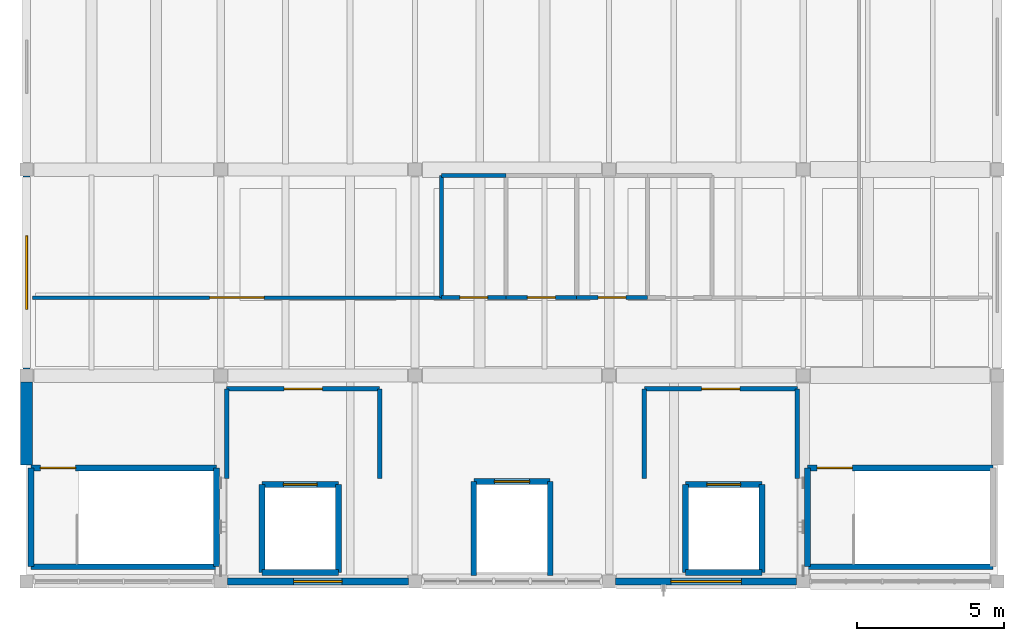
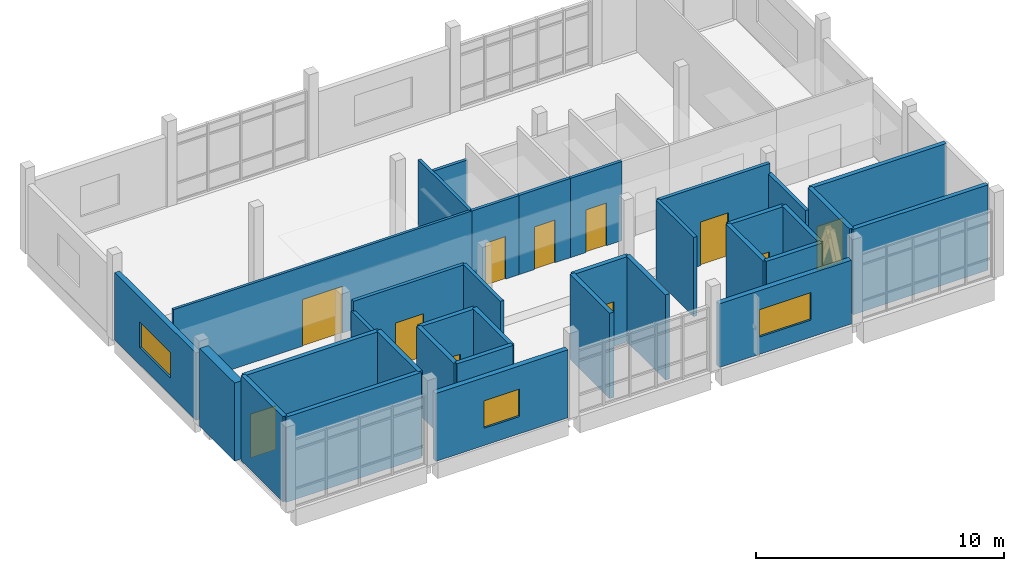
# One storey, part 8 of 10: 34 walls, 11 doors, 3 windows, 14 openings.
"""IFC4 building model written with IfcOpenShell, lengths in metres."""

from ifc_helpers import new_model, si_unit, direction, frame, frame_2d, origin, place, context, subcontext, project, spatial, rectangle, extrude, material, layer, layer_set, type_object, element, fill, save


model = new_model("IFC4")

# Units and contexts
model_context = context("Model", 3, precision=1e-05, world=origin(), true_north=direction((0.0, 1.0)))
body_context = subcontext(model_context, "Body", "Model", "MODEL_VIEW")
ifc_project = project(units=[si_unit("LENGTHUNIT", "METRE"), si_unit("AREAUNIT", "SQUARE_METRE"), si_unit("VOLUMEUNIT", "CUBIC_METRE"), si_unit("PLANEANGLEUNIT", "RADIAN"), si_unit("MASSUNIT", "GRAM", prefix="KILO")], contexts=[model_context])

# Site, building, storey
site_placement = place(None, origin())
site = spatial("IfcSite", under=ifc_project, at=site_placement, CompositionType="ELEMENT")
building_placement = place(site_placement, origin())
building = spatial("IfcBuilding", under=site, at=building_placement, Name="Ciguamira Faculty of Natural Sciences", CompositionType="ELEMENT")
storey_placement = place(building_placement, frame((0.0, 0.0, 46.199951171875)))
storey = spatial("IfcBuildingStorey", under=building, at=storey_placement, Name="L11", CompositionType="ELEMENT", Elevation=46.199951171875)

# Wall, opening, window
ifc_material_1 = material(Name="Precast concrete C40/50", Category="concrete")
ifc_layer_1 = layer(ifc_material_1, 0.239990234375, Name="Precast concrete C40/50")
ifc_layer_set_1 = layer_set([ifc_layer_1], Name="Precast concrete C40/50")
wall_type_1 = type_object("IfcWallType", Name="ExtWall_EW-02_240", PredefinedType="SOLIDWALL", material=ifc_layer_set_1)
wall_1_placement = place(storey_placement, frame((77.324951171875, 94.0, 0.0), z_axis=(0.0, 0.0, 1.0), x_axis=(1.0, 0.0, 0.0)))
wall_1 = element("IfcWall", 1, at=wall_1_placement, inside=storey, type_object=wall_type_1, Name="L11 exterior wall 0407", PredefinedType="SOLIDWALL", context=body_context, shape_type="SweptSolid", body=[
    extrude(rectangle(XDim=6.150146484375, YDim=0.239990234375, at=frame_2d((3.0751953125, 0.0))), origin(), (0.0, 0.0, 1.0), 3.344970703125),
])
opening_1_placement = place(wall_1_placement, frame((2.25, 0.0, 0.85009765625)))
opening_1 = element("IfcOpeningElement", 2, at=opening_1_placement, cuts=wall_1, Name="Opening WT-04", PredefinedType="OPENING", context=body_context, shape_type="SweptSolid", body=[
    extrude(rectangle(XDim=1.64990234375, YDim=1.35009765625, at=frame_2d((0.824951171875, 0.675048828125))), frame((0.0, 0.1298828125, 0.0), z_axis=(0.0, -1.0, 0.0), x_axis=(1.0, 0.0, 0.0)), (0.0, 0.0, 1.0), 0.260009765625),
])
ifc_material_2 = material(Name="Hurricane laminated solar glass", Category="glass")
window_type_1 = type_object("IfcWindowType", Name="Window_WT-04_1650x1350", PartitioningType="DOUBLE_PANEL_VERTICAL", PredefinedType="WINDOW", material=ifc_material_2)
window_1_placement = place(opening_1_placement, origin())
window_1 = element("IfcWindow", 3, at=window_1_placement, inside=storey, type_object=window_type_1, Name="L11 facade window 0287", OverallHeight=1.35009765625, OverallWidth=1.64990234375, PartitioningType="SINGLE_PANEL", PredefinedType="WINDOW", context=body_context, shape_type="SweptSolid", body=[
    extrude(rectangle(XDim=1.64990234375, YDim=1.35009765625, at=frame_2d((0.824951171875, 0.675048828125))), frame((0.0, 0.030029296875, 0.0), z_axis=(0.0, -1.0, 0.0), x_axis=(1.0, 0.0, 0.0)), (0.0, 0.0, 1.0), 0.06005859375),
])
fill(opening_1, window_1)

wall_2_placement = place(storey_placement, frame((90.52490234375, 94.0, 0.0), z_axis=(0.0, 0.0, 1.0), x_axis=(1.0, 0.0, 0.0)))
wall_2 = element("IfcWall", 4, at=wall_2_placement, inside=storey, type_object=wall_type_1, Name="L11 exterior wall 0408", PredefinedType="SOLIDWALL", context=body_context, shape_type="SweptSolid", body=[
    extrude(rectangle(XDim=6.150146484375, YDim=0.239990234375, at=frame_2d((3.0751953125, 0.0))), origin(), (0.0, 0.0, 1.0), 3.135009765625),
])
opening_2_placement = place(wall_2_placement, frame((1.875, 0.0, 0.85009765625)))
opening_2 = element("IfcOpeningElement", 5, at=opening_2_placement, cuts=wall_2, Name="Opening WT-07", PredefinedType="OPENING", context=body_context, shape_type="SweptSolid", body=[
    extrude(rectangle(XDim=2.39990234375, YDim=1.35009765625, at=frame_2d((1.199951171875, 0.675048828125))), frame((0.0, 0.1298828125, 0.0), z_axis=(0.0, -1.0, 0.0), x_axis=(1.0, 0.0, 0.0)), (0.0, 0.0, 1.0), 0.260009765625),
])
window_type_2 = type_object("IfcWindowType", Name="Window_WT-07_2400x1350", PartitioningType="DOUBLE_PANEL_VERTICAL", PredefinedType="WINDOW", material=ifc_material_2)
window_2_placement = place(opening_2_placement, origin())
window_2 = element("IfcWindow", 6, at=window_2_placement, inside=storey, type_object=window_type_2, Name="L11 facade window 0288", OverallHeight=1.35009765625, OverallWidth=2.39990234375, PartitioningType="SINGLE_PANEL", PredefinedType="WINDOW", context=body_context, shape_type="SweptSolid", body=[
    extrude(rectangle(XDim=2.39990234375, YDim=1.35009765625, at=frame_2d((1.199951171875, 0.675048828125))), frame((0.0, 0.030029296875, 0.0), z_axis=(0.0, -1.0, 0.0), x_axis=(1.0, 0.0, 0.0)), (0.0, 0.0, 1.0), 0.06005859375),
])
fill(opening_2, window_2)

wall_3_placement = place(storey_placement, frame((70.5, 101.22509765625, 0.0), z_axis=(0.0, 0.0, 1.0), x_axis=(0.0, 1.0, 0.0)))
wall_3 = element("IfcWall", 7, at=wall_3_placement, inside=storey, type_object=wall_type_1, Name="L11 exterior wall 0413", PredefinedType="SOLIDWALL", context=body_context, shape_type="SweptSolid", body=[
    extrude(rectangle(XDim=6.5498046875, YDim=0.239990234375, at=frame_2d((3.27490234375, 0.0))), origin(), (0.0, 0.0, 1.0), 3.31298828125),
])
opening_3_placement = place(wall_3_placement, frame((2.02490234375, 0.0, 0.85009765625)))
opening_3 = element("IfcOpeningElement", 8, at=opening_3_placement, cuts=wall_3, Name="Opening WT-19", PredefinedType="OPENING", context=body_context, shape_type="SweptSolid", body=[
    extrude(rectangle(XDim=2.5, YDim=1.25, at=frame_2d((1.25, 0.625))), frame((0.0, 0.1298828125, 0.0), z_axis=(0.0, -1.0, 0.0), x_axis=(1.0, 0.0, 0.0)), (0.0, 0.0, 1.0), 0.260009765625),
])
window_type_3 = type_object("IfcWindowType", Name="Window_WT-19_2500x1250", PartitioningType="DOUBLE_PANEL_VERTICAL", PredefinedType="WINDOW", material=ifc_material_2)
window_3_placement = place(opening_3_placement, origin())
window_3 = element("IfcWindow", 9, at=window_3_placement, inside=storey, type_object=window_type_3, Name="L11 facade window 0292", OverallHeight=1.25, OverallWidth=2.5, PartitioningType="SINGLE_PANEL", PredefinedType="WINDOW", context=body_context, shape_type="SweptSolid", body=[
    extrude(rectangle(XDim=2.5, YDim=1.25, at=frame_2d((1.25, 0.625))), frame((0.0, 0.030029296875, 0.0), z_axis=(0.0, -1.0, 0.0), x_axis=(1.0, 0.0, 0.0)), (0.0, 0.0, 1.0), 0.06005859375),
])
fill(opening_3, window_3)

# Walls
ifc_material_3 = material(Name="Concrete C40/50", Category="concrete")
ifc_layer_2 = layer(ifc_material_3, 0.39990234375, Name="Concrete C40/50")
ifc_layer_set_2 = layer_set([ifc_layer_2], Name="Concrete C40/50")
wall_type_2 = type_object("IfcWallType", Name="ExtWall_RW-02_400", PredefinedType="SHEAR", material=ifc_layer_set_2)
wall_4_placement = place(storey_placement, frame((70.5, 97.9599609375, 0.0), z_axis=(0.0, 0.0, 1.0), x_axis=(0.0, 1.0, 0.0)))
element("IfcWall", 10, at=wall_4_placement, inside=storey, type_object=wall_type_2, Name="L11 exterior wall 0412", PredefinedType="SHEAR", context=body_context, shape_type="SweptSolid", body=[
    extrude(rectangle(XDim=2.81494140625, YDim=0.39990234375, at=frame_2d((1.407470703125, 0.0))), origin(), (0.0, 0.0, 1.0), 3.85009765625),
])
ifc_layer_3 = layer(ifc_material_3, 0.199951171875, Name="Concrete C40/50")
ifc_layer_set_3 = layer_set([ifc_layer_3], Name="Concrete C40/50")
wall_type_3 = type_object("IfcWallType", Name="IntWall_CW-S20_200", PredefinedType="SHEAR", material=ifc_layer_set_3)
wall_5_placement = place(storey_placement, frame((70.64990234375, 94.5, 0.0), z_axis=(0.0, 0.0, 1.0), x_axis=(1.0, 0.0, 0.0)))
element("IfcWall", 11, at=wall_5_placement, inside=storey, type_object=wall_type_3, Name="L11 ST-T1 core shear wall south", PredefinedType="SHEAR", context=body_context, shape_type="SweptSolid", body=[
    extrude(rectangle(XDim=6.300048828125, YDim=0.199951171875, at=frame_2d((3.14990234375, 0.0))), origin(), (0.0, 0.0, 1.0), 4.199951171875),
])

# Wall, opening, door
wall_6_placement = place(storey_placement, frame((70.64990234375, 97.860107421875, 0.0), z_axis=(0.0, 0.0, 1.0), x_axis=(1.0, 0.0, 0.0)))
wall_6 = element("IfcWall", 12, at=wall_6_placement, inside=storey, type_object=wall_type_3, Name="L11 ST-T1 core shear wall north", PredefinedType="SHEAR", context=body_context, shape_type="SweptSolid", body=[
    extrude(rectangle(XDim=6.300048828125, YDim=0.199951171875, at=frame_2d((3.14990234375, 0.0))), origin(), (0.0, 0.0, 1.0), 4.199951171875),
])
opening_4_placement = place(wall_6_placement, frame((0.320068359375, 0.0, 0.0)))
opening_4 = element("IfcOpeningElement", 13, at=opening_4_placement, cuts=wall_6, Name="Opening ID-14", PredefinedType="OPENING", context=body_context, shape_type="SweptSolid", body=[
    extrude(rectangle(XDim=1.199951171875, YDim=2.14990234375, at=frame_2d((0.60009765625, 1.074951171875))), frame((0.0, 0.10986328125, 0.0), z_axis=(0.0, -1.0, 0.0), x_axis=(1.0, 0.0, 0.0)), (0.0, 0.0, 1.0), 0.219970703125),
])
ifc_material_4 = material(Name="Protected exit stair fire door")
door_type_1 = type_object("IfcDoorType", Name="IntDoor_ID-14_1200x2150", OperationType="NOTDEFINED", PredefinedType="DOOR", material=ifc_material_4)
door_1_placement = place(opening_4_placement, frame((1.199951171875, 0.0, 0.0), z_axis=(0.0, 0.0, 1.0), x_axis=(-1.0, 0.0, 0.0)))
door_1 = element("IfcDoor", 14, at=door_1_placement, inside=storey, type_object=door_type_1, Name="L11 ST-T1 exit stair fire door", OperationType="SINGLE_SWING_LEFT", OverallHeight=2.14990234375, OverallWidth=1.199951171875, PredefinedType="DOOR", context=body_context, shape_type="SweptSolid", body=[
    extrude(rectangle(XDim=1.199951171875, YDim=2.14990234375, at=frame_2d((0.60009765625, 1.074951171875))), frame((0.0, 0.02490234375, 0.0), z_axis=(0.0, -1.0, 0.0), x_axis=(1.0, 0.0, 0.0)), (0.0, 0.0, 1.0), 0.050048828125),
])
fill(opening_4, door_1)

# Walls
for number, where, z_axis, x_axis, name in (
    (15, (70.64990234375, 94.5, 0.0), (0.0, 0.0, 1.0), (0.0, 1.0, 0.0), "L11 ST-T1 core shear wall west"),
    (16, (76.949951171875, 94.5, 0.0), (0.0, 0.0, 1.0), (0.0, 1.0, 0.0), "L11 ST-T1 core shear wall east"),
):
    element("IfcWall", number, at=place(storey_placement, frame(where, z_axis=z_axis, x_axis=x_axis)), inside=storey, type_object=wall_type_3, Name=name, PredefinedType="SHEAR", context=body_context, shape_type="SweptSolid", body=[
        extrude(rectangle(XDim=3.360107421875, YDim=0.199951171875, at=frame_2d((1.68017578125, 0.0))), origin(), (0.0, 0.0, 1.0), 4.199951171875),
    ])
wall_7_placement = place(storey_placement, frame((97.050048828125, 94.5, 0.0), z_axis=(0.0, 0.0, 1.0), x_axis=(1.0, 0.0, 0.0)))
element("IfcWall", 17, at=wall_7_placement, inside=storey, type_object=wall_type_3, Name="L11 ST-T2 core shear wall south", PredefinedType="SHEAR", context=body_context, shape_type="SweptSolid", body=[
    extrude(rectangle(XDim=6.300048828125, YDim=0.199951171875, at=frame_2d((3.14990234375, 0.0))), origin(), (0.0, 0.0, 1.0), 4.199951171875),
])

# Wall, opening, door
wall_8_placement = place(storey_placement, frame((97.050048828125, 97.860107421875, 0.0), z_axis=(0.0, 0.0, 1.0), x_axis=(1.0, 0.0, 0.0)))
wall_8 = element("IfcWall", 18, at=wall_8_placement, inside=storey, type_object=wall_type_3, Name="L11 ST-T2 core shear wall north", PredefinedType="SHEAR", context=body_context, shape_type="SweptSolid", body=[
    extrude(rectangle(XDim=6.300048828125, YDim=0.199951171875, at=frame_2d((3.14990234375, 0.0))), origin(), (0.0, 0.0, 1.0), 4.199951171875),
])
opening_5_placement = place(wall_8_placement, frame((0.320068359375, 0.0, 0.0)))
opening_5 = element("IfcOpeningElement", 19, at=opening_5_placement, cuts=wall_8, Name="Opening ID-14", PredefinedType="OPENING", context=body_context, shape_type="SweptSolid", body=[
    extrude(rectangle(XDim=1.199951171875, YDim=2.14990234375, at=frame_2d((0.60009765625, 1.074951171875))), frame((0.0, 0.10986328125, 0.0), z_axis=(0.0, -1.0, 0.0), x_axis=(1.0, 0.0, 0.0)), (0.0, 0.0, 1.0), 0.219970703125),
])
door_2_placement = place(opening_5_placement, frame((1.199951171875, 0.0, 0.0), z_axis=(0.0, 0.0, 1.0), x_axis=(-1.0, 0.0, 0.0)))
door_2 = element("IfcDoor", 20, at=door_2_placement, inside=storey, type_object=door_type_1, Name="L11 ST-T2 exit stair fire door", OperationType="SINGLE_SWING_RIGHT", OverallHeight=2.14990234375, OverallWidth=1.199951171875, PredefinedType="DOOR", context=body_context, shape_type="SweptSolid", body=[
    extrude(rectangle(XDim=1.199951171875, YDim=2.14990234375, at=frame_2d((0.60009765625, 1.074951171875))), frame((0.0, 0.02490234375, 0.0), z_axis=(0.0, -1.0, 0.0), x_axis=(1.0, 0.0, 0.0)), (0.0, 0.0, 1.0), 0.050048828125),
])
fill(opening_5, door_2)

# Walls
wall_9_placement = place(storey_placement, frame((97.050048828125, 94.5, 0.0), z_axis=(0.0, 0.0, 1.0), x_axis=(0.0, 1.0, 0.0)))
element("IfcWall", 21, at=wall_9_placement, inside=storey, type_object=wall_type_3, Name="L11 ST-T2 core shear wall west", PredefinedType="SHEAR", context=body_context, shape_type="SweptSolid", body=[
    extrude(rectangle(XDim=3.360107421875, YDim=0.199951171875, at=frame_2d((1.68017578125, 0.0))), origin(), (0.0, 0.0, 1.0), 4.199951171875),
])
wall_10_placement = place(storey_placement, frame((78.5, 94.300048828125, 0.0), z_axis=(0.0, 0.0, 1.0), x_axis=(1.0, 0.0, 0.0)))
element("IfcWall", 22, at=wall_10_placement, inside=storey, type_object=wall_type_3, Name="L11 EL-FF1 hoistway wall south", PredefinedType="SHEAR", context=body_context, shape_type="SweptSolid", body=[
    extrude(rectangle(XDim=2.60009765625, YDim=0.199951171875, at=frame_2d((1.300048828125, 0.0))), origin(), (0.0, 0.0, 1.0), 4.199951171875),
])

# Wall, opening, door
wall_11_placement = place(storey_placement, frame((78.5, 97.300048828125, 0.0), z_axis=(0.0, 0.0, 1.0), x_axis=(1.0, 0.0, 0.0)))
wall_11 = element("IfcWall", 23, at=wall_11_placement, inside=storey, type_object=wall_type_3, Name="L11 EL-FF1 hoistway wall north", PredefinedType="SHEAR", context=body_context, shape_type="SweptSolid", body=[
    extrude(rectangle(XDim=2.60009765625, YDim=0.199951171875, at=frame_2d((1.300048828125, 0.0))), origin(), (0.0, 0.0, 1.0), 4.199951171875),
])
opening_6_placement = place(wall_11_placement, frame((0.72509765625, 0.0, 0.0)))
opening_6 = element("IfcOpeningElement", 24, at=opening_6_placement, cuts=wall_11, Name="Opening LD-03", PredefinedType="OPENING", context=body_context, shape_type="SweptSolid", body=[
    extrude(rectangle(XDim=1.14990234375, YDim=2.199951171875, at=frame_2d((0.574951171875, 1.10009765625))), frame((0.0, 0.10986328125, 0.0), z_axis=(0.0, -1.0, 0.0), x_axis=(1.0, 0.0, 0.0)), (0.0, 0.0, 1.0), 0.219970703125),
])
ifc_material_5 = material(Name="Firefighting lift sliding landing door")
door_type_2 = type_object("IfcDoorType", Name="LiftLandingDoor_LD-03_1150x2200", OperationType="SLIDING_TO_LEFT", PredefinedType="DOOR", material=ifc_material_5)
door_3_placement = place(opening_6_placement, origin())
door_3 = element("IfcDoor", 25, at=door_3_placement, inside=storey, type_object=door_type_2, Name="L11 EL-FF1 elevator landing sliding door", OperationType="SLIDING_TO_LEFT", OverallHeight=2.199951171875, OverallWidth=1.14990234375, PredefinedType="DOOR", context=body_context, shape_type="SweptSolid", body=[
    extrude(rectangle(XDim=1.14990234375, YDim=2.199951171875, at=frame_2d((0.574951171875, 1.10009765625))), frame((0.0, 0.02490234375, 0.0), z_axis=(0.0, -1.0, 0.0), x_axis=(1.0, 0.0, 0.0)), (0.0, 0.0, 1.0), 0.050048828125),
])
fill(opening_6, door_3)

# Walls
for number, where, z_axis, x_axis, name in (
    (26, (78.5, 94.300048828125, 0.0), (0.0, 0.0, 1.0), (0.0, 1.0, 0.0), "L11 EL-FF1 hoistway wall west"),
    (27, (81.10009765625, 94.300048828125, 0.0), (0.0, 0.0, 1.0), (0.0, 1.0, 0.0), "L11 EL-FF1 hoistway wall east"),
):
    element("IfcWall", number, at=place(storey_placement, frame(where, z_axis=z_axis, x_axis=x_axis)), inside=storey, type_object=wall_type_3, Name=name, PredefinedType="SHEAR", context=body_context, shape_type="SweptSolid", body=[
        extrude(rectangle(XDim=3.0, YDim=0.199951171875, at=frame_2d((1.5, 0.0))), origin(), (0.0, 0.0, 1.0), 4.199951171875),
    ])
wall_12_placement = place(storey_placement, frame((92.89990234375, 94.300048828125, 0.0), z_axis=(0.0, 0.0, 1.0), x_axis=(1.0, 0.0, 0.0)))
element("IfcWall", 28, at=wall_12_placement, inside=storey, type_object=wall_type_3, Name="L11 EL-FF2 hoistway wall south", PredefinedType="SHEAR", context=body_context, shape_type="SweptSolid", body=[
    extrude(rectangle(XDim=2.60009765625, YDim=0.199951171875, at=frame_2d((1.300048828125, 0.0))), origin(), (0.0, 0.0, 1.0), 4.199951171875),
])

# Wall, opening, door
wall_13_placement = place(storey_placement, frame((92.89990234375, 97.300048828125, 0.0), z_axis=(0.0, 0.0, 1.0), x_axis=(1.0, 0.0, 0.0)))
wall_13 = element("IfcWall", 29, at=wall_13_placement, inside=storey, type_object=wall_type_3, Name="L11 EL-FF2 hoistway wall north", PredefinedType="SHEAR", context=body_context, shape_type="SweptSolid", body=[
    extrude(rectangle(XDim=2.60009765625, YDim=0.199951171875, at=frame_2d((1.300048828125, 0.0))), origin(), (0.0, 0.0, 1.0), 4.199951171875),
])
opening_7_placement = place(wall_13_placement, frame((0.72509765625, 0.0, 0.0)))
opening_7 = element("IfcOpeningElement", 30, at=opening_7_placement, cuts=wall_13, Name="Opening LD-03", PredefinedType="OPENING", context=body_context, shape_type="SweptSolid", body=[
    extrude(rectangle(XDim=1.14990234375, YDim=2.199951171875, at=frame_2d((0.574951171875, 1.10009765625))), frame((0.0, 0.10986328125, 0.0), z_axis=(0.0, -1.0, 0.0), x_axis=(1.0, 0.0, 0.0)), (0.0, 0.0, 1.0), 0.219970703125),
])
door_4_placement = place(opening_7_placement, origin())
door_4 = element("IfcDoor", 31, at=door_4_placement, inside=storey, type_object=door_type_2, Name="L11 EL-FF2 elevator landing sliding door", OperationType="SLIDING_TO_LEFT", OverallHeight=2.199951171875, OverallWidth=1.14990234375, PredefinedType="DOOR", context=body_context, shape_type="SweptSolid", body=[
    extrude(rectangle(XDim=1.14990234375, YDim=2.199951171875, at=frame_2d((0.574951171875, 1.10009765625))), frame((0.0, 0.02490234375, 0.0), z_axis=(0.0, -1.0, 0.0), x_axis=(1.0, 0.0, 0.0)), (0.0, 0.0, 1.0), 0.050048828125),
])
fill(opening_7, door_4)

# Walls
for number, where, z_axis, x_axis, name in (
    (32, (92.89990234375, 94.300048828125, 0.0), (0.0, 0.0, 1.0), (0.0, 1.0, 0.0), "L11 EL-FF2 hoistway wall west"),
    (33, (95.5, 94.300048828125, 0.0), (0.0, 0.0, 1.0), (0.0, 1.0, 0.0), "L11 EL-FF2 hoistway wall east"),
):
    element("IfcWall", number, at=place(storey_placement, frame(where, z_axis=z_axis, x_axis=x_axis)), inside=storey, type_object=wall_type_3, Name=name, PredefinedType="SHEAR", context=body_context, shape_type="SweptSolid", body=[
        extrude(rectangle(XDim=3.0, YDim=0.199951171875, at=frame_2d((1.5, 0.0))), origin(), (0.0, 0.0, 1.0), 4.199951171875),
    ])

# Wall, opening, door
wall_14_placement = place(storey_placement, frame((85.699951171875, 97.39990234375, 0.0), z_axis=(0.0, 0.0, 1.0), x_axis=(1.0, 0.0, 0.0)))
wall_14 = element("IfcWall", 34, at=wall_14_placement, inside=storey, type_object=wall_type_3, Name="L11 EL-P1 hoistway wall north", PredefinedType="SHEAR", context=body_context, shape_type="SweptSolid", body=[
    extrude(rectangle(XDim=2.60009765625, YDim=0.199951171875, at=frame_2d((1.300048828125, 0.0))), origin(), (0.0, 0.0, 1.0), 4.199951171875),
])
opening_8_placement = place(wall_14_placement, frame((0.699951171875, 0.0, 0.0)))
opening_8 = element("IfcOpeningElement", 35, at=opening_8_placement, cuts=wall_14, Name="Opening LD-02", PredefinedType="OPENING", context=body_context, shape_type="SweptSolid", body=[
    extrude(rectangle(XDim=1.199951171875, YDim=2.199951171875, at=frame_2d((0.60009765625, 1.10009765625))), frame((0.0, 0.10986328125, 0.0), z_axis=(0.0, -1.0, 0.0), x_axis=(1.0, 0.0, 0.0)), (0.0, 0.0, 1.0), 0.219970703125),
])
ifc_material_6 = material(Name="Stretcher elevator sliding landing door")
door_type_3 = type_object("IfcDoorType", Name="LiftLandingDoor_LD-02_1200x2200", OperationType="SLIDING_TO_LEFT", PredefinedType="DOOR", material=ifc_material_6)
door_5_placement = place(opening_8_placement, origin())
door_5 = element("IfcDoor", 36, at=door_5_placement, inside=storey, type_object=door_type_3, Name="L11 EL-P1 elevator landing sliding door", OperationType="SLIDING_TO_LEFT", OverallHeight=2.199951171875, OverallWidth=1.199951171875, PredefinedType="DOOR", context=body_context, shape_type="SweptSolid", body=[
    extrude(rectangle(XDim=1.199951171875, YDim=2.199951171875, at=frame_2d((0.60009765625, 1.10009765625))), frame((0.0, 0.02490234375, 0.0), z_axis=(0.0, -1.0, 0.0), x_axis=(1.0, 0.0, 0.0)), (0.0, 0.0, 1.0), 0.050048828125),
])
fill(opening_8, door_5)

# Walls
for number, where, z_axis, x_axis, name in (
    (37, (85.699951171875, 94.199951171875, 0.0), (0.0, 0.0, 1.0), (0.0, 1.0, 0.0), "L11 EL-P1 hoistway wall west"),
    (38, (88.300048828125, 94.199951171875, 0.0), (0.0, 0.0, 1.0), (0.0, 1.0, 0.0), "L11 EL-P1 hoistway wall east"),
):
    element("IfcWall", number, at=place(storey_placement, frame(where, z_axis=z_axis, x_axis=x_axis)), inside=storey, type_object=wall_type_3, Name=name, PredefinedType="SHEAR", context=body_context, shape_type="SweptSolid", body=[
        extrude(rectangle(XDim=3.199951171875, YDim=0.199951171875, at=frame_2d((1.60009765625, 0.0))), origin(), (0.0, 0.0, 1.0), 4.199951171875),
    ])

# Wall, opening, door
ifc_material_7 = material(Name="Acoustic double-stud gypsum partition")
ifc_layer_4 = layer(ifc_material_7, 0.1201171875, Name="Acoustic double-stud gypsum partition")
ifc_layer_set_4 = layer_set([ifc_layer_4], Name="Acoustic double-stud gypsum partition")
wall_type_4 = type_object("IfcWallType", Name="IntWall_IW-A12_120", PredefinedType="PARTITIONING", material=ifc_layer_set_4)
wall_15_placement = place(storey_placement, frame((70.699951171875, 103.64990234375, 0.0), z_axis=(0.0, 0.0, 1.0), x_axis=(1.0, 0.0, 0.0)))
wall_15 = element("IfcWall", 39, at=wall_15_placement, inside=storey, type_object=wall_type_4, Name="L11 Faculty Colloquium Lecture Seminar Hall partition south", PredefinedType="PARTITIONING", context=body_context, shape_type="SweptSolid", body=[
    extrude(rectangle(XDim=13.900146484375, YDim=0.1201171875, at=frame_2d((6.9501953125, 0.0))), origin(), (0.0, 0.0, 1.0), 3.900146484375),
])
opening_9_placement = place(wall_15_placement, frame((6.02490234375, 0.0, 0.0)))
opening_9 = element("IfcOpeningElement", 40, at=opening_9_placement, cuts=wall_15, Name="Opening ID-12", PredefinedType="OPENING", context=body_context, shape_type="SweptSolid", body=[
    extrude(rectangle(XDim=1.85009765625, YDim=2.300048828125, at=frame_2d((0.925048828125, 1.14990234375))), frame((0.0, 0.070068359375, 0.0), z_axis=(0.0, -1.0, 0.0), x_axis=(1.0, 0.0, 0.0)), (0.0, 0.0, 1.0), 0.14013671875),
])
ifc_material_8 = material(Name="Lecture auditorium acoustic double door")
door_type_4 = type_object("IfcDoorType", Name="IntDoor_ID-12_1850x2300", OperationType="NOTDEFINED", PredefinedType="DOOR", material=ifc_material_8)
door_6_placement = place(opening_9_placement, origin())
door_6 = element("IfcDoor", 41, at=door_6_placement, inside=storey, type_object=door_type_4, Name="L11 Faculty Colloquium Lecture Seminar Hall door", OperationType="SINGLE_SWING_LEFT", OverallHeight=2.300048828125, OverallWidth=1.85009765625, PredefinedType="DOOR", context=body_context, shape_type="SweptSolid", body=[
    extrude(rectangle(XDim=1.85009765625, YDim=2.300048828125, at=frame_2d((0.925048828125, 1.14990234375))), frame((0.0, 0.02490234375, 0.0), z_axis=(0.0, -1.0, 0.0), x_axis=(1.0, 0.0, 0.0)), (0.0, 0.0, 1.0), 0.050048828125),
])
fill(opening_9, door_6)

ifc_material_9 = material(Name="Fire-rated blockwork wall", Category="masonry")
ifc_layer_5 = layer(ifc_material_9, 0.159912109375, Name="Fire-rated blockwork wall")
ifc_layer_set_5 = layer_set([ifc_layer_5], Name="Fire-rated blockwork wall")
wall_type_5 = type_object("IfcWallType", Name="IntWall_IW-F16_160", PredefinedType="SOLIDWALL", material=ifc_layer_set_5)
wall_16_placement = place(storey_placement, frame((77.300048828125, 100.550048828125, 0.0), z_axis=(0.0, 0.0, 1.0), x_axis=(1.0, 0.0, 0.0)))
wall_16 = element("IfcWall", 42, at=wall_16_placement, inside=storey, type_object=wall_type_5, Name="L11 Firefighting Lift Lobby 1 partition north", PredefinedType="SOLIDWALL", context=body_context, shape_type="SweptSolid", body=[
    extrude(rectangle(XDim=5.199951171875, YDim=0.159912109375, at=frame_2d((2.60009765625, 0.0))), origin(), (0.0, 0.0, 1.0), 3.900146484375),
])
opening_10_placement = place(wall_16_placement, frame((1.949951171875, 0.0, 0.0)))
opening_10 = element("IfcOpeningElement", 43, at=opening_10_placement, cuts=wall_16, Name="Opening ID-15", PredefinedType="OPENING", context=body_context, shape_type="SweptSolid", body=[
    extrude(rectangle(XDim=1.300048828125, YDim=2.14990234375, at=frame_2d((0.64990234375, 1.074951171875))), frame((0.0, 0.08984375, 0.0), z_axis=(0.0, -1.0, 0.0), x_axis=(1.0, 0.0, 0.0)), (0.0, 0.0, 1.0), 0.179931640625),
])
ifc_material_10 = material(Name="Firefighting lift lobby fire door")
door_type_5 = type_object("IfcDoorType", Name="IntDoor_ID-15_1300x2150", OperationType="NOTDEFINED", PredefinedType="DOOR", material=ifc_material_10)
door_7_placement = place(opening_10_placement, frame((1.300048828125, 0.0, 0.0), z_axis=(0.0, 0.0, 1.0), x_axis=(-1.0, 0.0, 0.0)))
door_7 = element("IfcDoor", 44, at=door_7_placement, inside=storey, type_object=door_type_5, Name="L11 Firefighting Lift Lobby 1 door", OperationType="SINGLE_SWING_LEFT", OverallHeight=2.14990234375, OverallWidth=1.300048828125, PredefinedType="DOOR", context=body_context, shape_type="SweptSolid", body=[
    extrude(rectangle(XDim=1.300048828125, YDim=2.14990234375, at=frame_2d((0.64990234375, 1.074951171875))), frame((0.0, 0.02490234375, 0.0), z_axis=(0.0, -1.0, 0.0), x_axis=(1.0, 0.0, 0.0)), (0.0, 0.0, 1.0), 0.050048828125),
])
fill(opening_10, door_7)

# Walls
wall_17_placement = place(storey_placement, frame((77.300048828125, 97.5, 0.0), z_axis=(0.0, 0.0, 1.0), x_axis=(0.0, 1.0, 0.0)))
element("IfcWall", 45, at=wall_17_placement, inside=storey, type_object=wall_type_5, Name="L11 Firefighting Lift Lobby 1 partition west", PredefinedType="SOLIDWALL", context=body_context, shape_type="SweptSolid", body=[
    extrude(rectangle(XDim=3.050048828125, YDim=0.159912109375, at=frame_2d((1.52490234375, 0.0))), origin(), (0.0, 0.0, 1.0), 3.405029296875),
])
wall_18_placement = place(storey_placement, frame((82.5, 97.5, 0.0), z_axis=(0.0, 0.0, 1.0), x_axis=(0.0, 1.0, 0.0)))
element("IfcWall", 46, at=wall_18_placement, inside=storey, type_object=wall_type_5, Name="L11 Firefighting Lift Lobby 1 partition east", PredefinedType="SOLIDWALL", context=body_context, shape_type="SweptSolid", body=[
    extrude(rectangle(XDim=3.050048828125, YDim=0.159912109375, at=frame_2d((1.52490234375, 0.0))), origin(), (0.0, 0.0, 1.0), 3.900146484375),
])

# Wall, opening, door
wall_19_placement = place(storey_placement, frame((91.5, 100.550048828125, 0.0), z_axis=(0.0, 0.0, 1.0), x_axis=(1.0, 0.0, 0.0)))
wall_19 = element("IfcWall", 47, at=wall_19_placement, inside=storey, type_object=wall_type_5, Name="L11 Firefighting Lift Lobby 2 partition north", PredefinedType="SOLIDWALL", context=body_context, shape_type="SweptSolid", body=[
    extrude(rectangle(XDim=5.199951171875, YDim=0.159912109375, at=frame_2d((2.60009765625, 0.0))), origin(), (0.0, 0.0, 1.0), 3.900146484375),
])
opening_11_placement = place(wall_19_placement, frame((1.949951171875, 0.0, 0.0)))
opening_11 = element("IfcOpeningElement", 48, at=opening_11_placement, cuts=wall_19, Name="Opening ID-15", PredefinedType="OPENING", context=body_context, shape_type="SweptSolid", body=[
    extrude(rectangle(XDim=1.300048828125, YDim=2.14990234375, at=frame_2d((0.64990234375, 1.074951171875))), frame((0.0, 0.08984375, 0.0), z_axis=(0.0, -1.0, 0.0), x_axis=(1.0, 0.0, 0.0)), (0.0, 0.0, 1.0), 0.179931640625),
])
door_8_placement = place(opening_11_placement, frame((1.300048828125, 0.0, 0.0), z_axis=(0.0, 0.0, 1.0), x_axis=(-1.0, 0.0, 0.0)))
door_8 = element("IfcDoor", 49, at=door_8_placement, inside=storey, type_object=door_type_5, Name="L11 Firefighting Lift Lobby 2 door", OperationType="SINGLE_SWING_RIGHT", OverallHeight=2.14990234375, OverallWidth=1.300048828125, PredefinedType="DOOR", context=body_context, shape_type="SweptSolid", body=[
    extrude(rectangle(XDim=1.300048828125, YDim=2.14990234375, at=frame_2d((0.64990234375, 1.074951171875))), frame((0.0, 0.02490234375, 0.0), z_axis=(0.0, -1.0, 0.0), x_axis=(1.0, 0.0, 0.0)), (0.0, 0.0, 1.0), 0.050048828125),
])
fill(opening_11, door_8)

# Walls
wall_20_placement = place(storey_placement, frame((91.5, 97.5, 0.0), z_axis=(0.0, 0.0, 1.0), x_axis=(0.0, 1.0, 0.0)))
element("IfcWall", 50, at=wall_20_placement, inside=storey, type_object=wall_type_5, Name="L11 Firefighting Lift Lobby 2 partition west", PredefinedType="SOLIDWALL", context=body_context, shape_type="SweptSolid", body=[
    extrude(rectangle(XDim=3.050048828125, YDim=0.159912109375, at=frame_2d((1.52490234375, 0.0))), origin(), (0.0, 0.0, 1.0), 3.900146484375),
])
wall_21_placement = place(storey_placement, frame((96.699951171875, 97.5, 0.0), z_axis=(0.0, 0.0, 1.0), x_axis=(0.0, 1.0, 0.0)))
element("IfcWall", 51, at=wall_21_placement, inside=storey, type_object=wall_type_5, Name="L11 Firefighting Lift Lobby 2 partition east", PredefinedType="SOLIDWALL", context=body_context, shape_type="SweptSolid", body=[
    extrude(rectangle(XDim=3.050048828125, YDim=0.159912109375, at=frame_2d((1.52490234375, 0.0))), origin(), (0.0, 0.0, 1.0), 3.405029296875),
])

# Wall, opening, door
ifc_material_11 = material(Name="Moisture-resistant service chase wall")
ifc_layer_6 = layer(ifc_material_11, 0.139892578125, Name="Moisture-resistant service chase wall")
ifc_layer_set_6 = layer_set([ifc_layer_6], Name="Moisture-resistant service chase wall")
wall_type_6 = type_object("IfcWallType", Name="IntWall_IW-P14_140", PredefinedType="PLUMBINGWALL", material=ifc_layer_set_6)
wall_22_placement = place(storey_placement, frame((84.60009765625, 103.64990234375, 0.0), z_axis=(0.0, 0.0, 1.0), x_axis=(1.0, 0.0, 0.0)))
wall_22 = element("IfcWall", 52, at=wall_22_placement, inside=storey, type_object=wall_type_6, Name="L11 Accessible WC partition south", PredefinedType="PLUMBINGWALL", context=body_context, shape_type="SweptSolid", body=[
    extrude(rectangle(XDim=2.199951171875, YDim=0.139892578125, at=frame_2d((1.10009765625, 0.0))), origin(), (0.0, 0.0, 1.0), 3.900146484375),
])
opening_12_placement = place(wall_22_placement, frame((0.625, 0.0, 0.0)))
opening_12 = element("IfcOpeningElement", 53, at=opening_12_placement, cuts=wall_22, Name="Opening ID-02", PredefinedType="OPENING", context=body_context, shape_type="SweptSolid", body=[
    extrude(rectangle(XDim=0.949951171875, YDim=2.10009765625, at=frame_2d((0.47509765625, 1.050048828125))), frame((0.0, 0.079833984375, 0.0), z_axis=(0.0, -1.0, 0.0), x_axis=(1.0, 0.0, 0.0)), (0.0, 0.0, 1.0), 0.159912109375),
])
ifc_material_12 = material(Name="Accessible WC outward-clear door")
door_type_6 = type_object("IfcDoorType", Name="IntDoor_ID-02_950x2100", OperationType="NOTDEFINED", PredefinedType="DOOR", material=ifc_material_12)
door_9_placement = place(opening_12_placement, origin())
door_9 = element("IfcDoor", 54, at=door_9_placement, inside=storey, type_object=door_type_6, Name="L11 Accessible WC door", OperationType="SINGLE_SWING_LEFT", OverallHeight=2.10009765625, OverallWidth=0.949951171875, PredefinedType="DOOR", context=body_context, shape_type="SweptSolid", body=[
    extrude(rectangle(XDim=0.949951171875, YDim=2.10009765625, at=frame_2d((0.47509765625, 1.050048828125))), frame((0.0, 0.02490234375, 0.0), z_axis=(0.0, -1.0, 0.0), x_axis=(1.0, 0.0, 0.0)), (0.0, 0.0, 1.0), 0.050048828125),
])
fill(opening_12, door_9)

# Walls
wall_23_placement = place(storey_placement, frame((84.60009765625, 107.800048828125, 0.0), z_axis=(0.0, 0.0, 1.0), x_axis=(1.0, 0.0, 0.0)))
element("IfcWall", 55, at=wall_23_placement, inside=storey, type_object=wall_type_6, Name="L11 Accessible WC partition north", PredefinedType="PLUMBINGWALL", context=body_context, shape_type="SweptSolid", body=[
    extrude(rectangle(XDim=2.199951171875, YDim=0.139892578125, at=frame_2d((1.10009765625, 0.0))), origin(), (0.0, 0.0, 1.0), 3.135009765625),
])
wall_24_placement = place(storey_placement, frame((84.60009765625, 103.64990234375, 0.0), z_axis=(0.0, 0.0, 1.0), x_axis=(0.0, 1.0, 0.0)))
element("IfcWall", 56, at=wall_24_placement, inside=storey, type_object=wall_type_6, Name="L11 Accessible WC partition west", PredefinedType="PLUMBINGWALL", context=body_context, shape_type="SweptSolid", body=[
    extrude(rectangle(XDim=4.150146484375, YDim=0.139892578125, at=frame_2d((2.0751953125, 0.0))), origin(), (0.0, 0.0, 1.0), 3.900146484375),
])

# Wall, opening, door
wall_25_placement = place(storey_placement, frame((86.800048828125, 103.64990234375, 0.0), z_axis=(0.0, 0.0, 1.0), x_axis=(1.0, 0.0, 0.0)))
wall_25 = element("IfcWall", 57, at=wall_25_placement, inside=storey, type_object=wall_type_6, Name="L11 Public Restroom Female partition south", PredefinedType="PLUMBINGWALL", context=body_context, shape_type="SweptSolid", body=[
    extrude(rectangle(XDim=2.39990234375, YDim=0.139892578125, at=frame_2d((1.199951171875, 0.0))), origin(), (0.0, 0.0, 1.0), 3.900146484375),
])
opening_13_placement = place(wall_25_placement, frame((0.72509765625, 0.0, 0.0)))
opening_13 = element("IfcOpeningElement", 58, at=opening_13_placement, cuts=wall_25, Name="Opening ID-02", PredefinedType="OPENING", context=body_context, shape_type="SweptSolid", body=[
    extrude(rectangle(XDim=0.949951171875, YDim=2.10009765625, at=frame_2d((0.47509765625, 1.050048828125))), frame((0.0, 0.079833984375, 0.0), z_axis=(0.0, -1.0, 0.0), x_axis=(1.0, 0.0, 0.0)), (0.0, 0.0, 1.0), 0.159912109375),
])
door_10_placement = place(opening_13_placement, origin())
door_10 = element("IfcDoor", 59, at=door_10_placement, inside=storey, type_object=door_type_6, Name="L11 Public Restroom Female door", OperationType="SINGLE_SWING_RIGHT", OverallHeight=2.10009765625, OverallWidth=0.949951171875, PredefinedType="DOOR", context=body_context, shape_type="SweptSolid", body=[
    extrude(rectangle(XDim=0.949951171875, YDim=2.10009765625, at=frame_2d((0.47509765625, 1.050048828125))), frame((0.0, 0.02490234375, 0.0), z_axis=(0.0, -1.0, 0.0), x_axis=(1.0, 0.0, 0.0)), (0.0, 0.0, 1.0), 0.050048828125),
])
fill(opening_13, door_10)

wall_26_placement = place(storey_placement, frame((89.199951171875, 103.64990234375, 0.0), z_axis=(0.0, 0.0, 1.0), x_axis=(1.0, 0.0, 0.0)))
wall_26 = element("IfcWall", 60, at=wall_26_placement, inside=storey, type_object=wall_type_6, Name="L11 Public Restroom Male partition south", PredefinedType="PLUMBINGWALL", context=body_context, shape_type="SweptSolid", body=[
    extrude(rectangle(XDim=2.400146484375, YDim=0.139892578125, at=frame_2d((1.2001953125, 0.0))), origin(), (0.0, 0.0, 1.0), 3.900146484375),
])
opening_14_placement = place(wall_26_placement, frame((0.72509765625, 0.0, 0.0)))
opening_14 = element("IfcOpeningElement", 61, at=opening_14_placement, cuts=wall_26, Name="Opening ID-02", PredefinedType="OPENING", context=body_context, shape_type="SweptSolid", body=[
    extrude(rectangle(XDim=0.949951171875, YDim=2.10009765625, at=frame_2d((0.47509765625, 1.050048828125))), frame((0.0, 0.079833984375, 0.0), z_axis=(0.0, -1.0, 0.0), x_axis=(1.0, 0.0, 0.0)), (0.0, 0.0, 1.0), 0.159912109375),
])
door_11_placement = place(opening_14_placement, origin())
door_11 = element("IfcDoor", 62, at=door_11_placement, inside=storey, type_object=door_type_6, Name="L11 Public Restroom Male door", OperationType="SINGLE_SWING_LEFT", OverallHeight=2.10009765625, OverallWidth=0.949951171875, PredefinedType="DOOR", context=body_context, shape_type="SweptSolid", body=[
    extrude(rectangle(XDim=0.949951171875, YDim=2.10009765625, at=frame_2d((0.47509765625, 1.050048828125))), frame((0.0, 0.02490234375, 0.0), z_axis=(0.0, -1.0, 0.0), x_axis=(1.0, 0.0, 0.0)), (0.0, 0.0, 1.0), 0.050048828125),
])
fill(opening_14, door_11)

save(model, "model.ifc")
